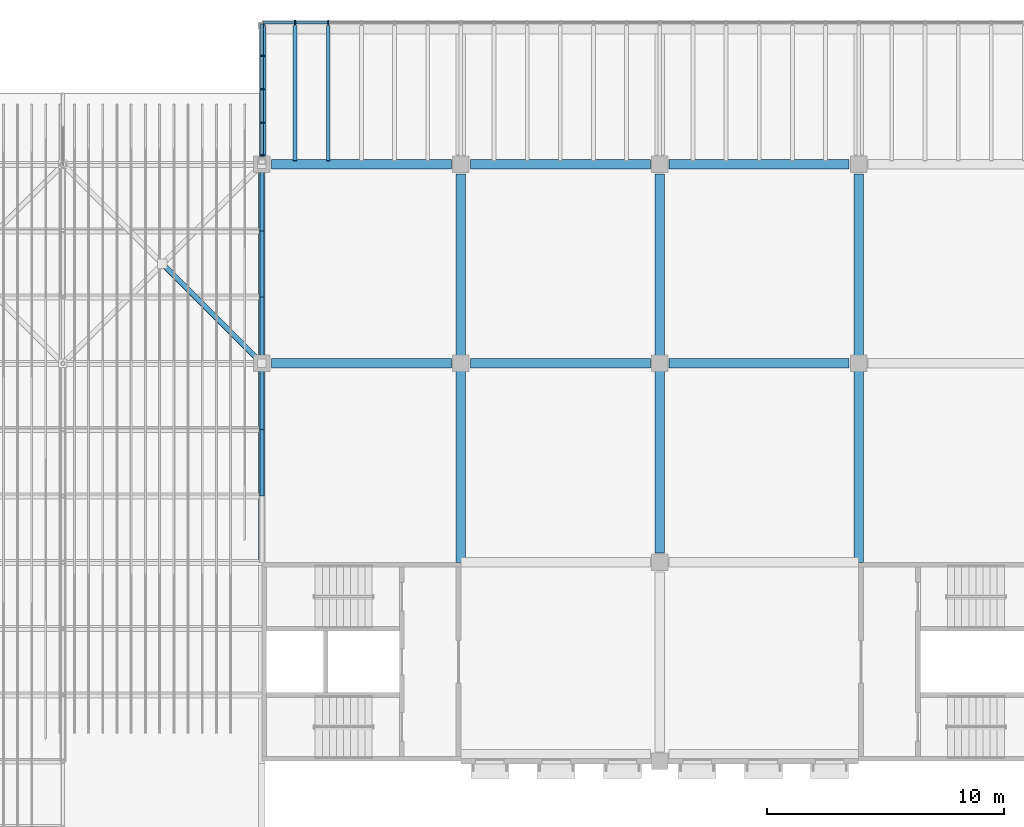
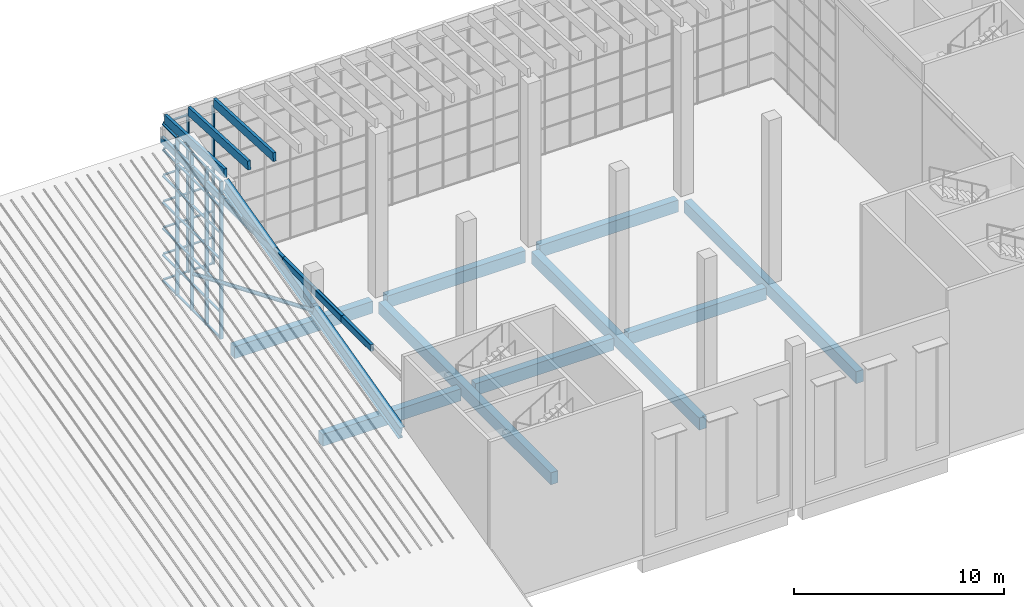
# One storey, part 15 of 114: 56 members, 11 beams, 2 elements without a shape of their own.
"""IFC4 building model written with IfcOpenShell, lengths in metres."""

from ifc_helpers import new_model, si_unit, direction, frame, origin, origin_2d, place, context, subcontext, project, spatial, rectangle, hollow_rectangle, hollow_circle, i_section, extrude, material, material_profile, profile_set, type_object, element, aggregate, save


model = new_model("IFC4")

# Units and contexts
model_context = context("Model", 3, precision=1e-05, world=origin(), true_north=direction((0.0, 1.0)))
body_context = subcontext(model_context, "Body", "Model", "MODEL_VIEW")
ifc_project = project(units=[si_unit("LENGTHUNIT", "METRE"), si_unit("AREAUNIT", "SQUARE_METRE"), si_unit("VOLUMEUNIT", "CUBIC_METRE"), si_unit("PLANEANGLEUNIT", "RADIAN"), si_unit("MASSUNIT", "GRAM", prefix="KILO")], contexts=[model_context])

# Site, building, storey
site_placement = place(None, origin())
site = spatial("IfcSite", under=ifc_project, at=site_placement, CompositionType="ELEMENT")
building_placement = place(site_placement, origin())
building = spatial("IfcBuilding", under=site, at=building_placement, Name="Almond Square Museum", CompositionType="ELEMENT")
storey_placement = place(building_placement, frame((0.0, 0.0, 10.5)))
storey = spatial("IfcBuildingStorey", under=building, at=storey_placement, Name="L02", CompositionType="ELEMENT", Elevation=10.5)

# Curtain wall, members
ifc_material_1 = material(Name="Aluminium and laminated glass", Category="aluminium")
curtain_wall_type = type_object("IfcCurtainWallType", Name="Unitised curtain wall 1500 module", PredefinedType="NOTDEFINED", material=ifc_material_1)
curtain_wall_1_placement = place(storey_placement, origin())
curtain_wall_1 = element("IfcCurtainWall", 1, at=curtain_wall_1_placement, inside=storey, type_object=curtain_wall_type, Name="Curtain wall CW-24", PredefinedType="NOTDEFINED")
ifc_material_2 = material(Name="Anodised aluminium", Category="aluminium")
ifc_material_profile_1 = material_profile(ifc_material_2, rectangle(XDim=0.199951171875, YDim=0.06005859375, at=origin_2d()))
ifc_profile_set_1 = profile_set([ifc_material_profile_1], Name="Anodised aluminium")
member_type_1 = type_object("IfcMemberType", Name="Aluminium mullion 60 x 200", PredefinedType="MULLION", material=ifc_profile_set_1)
member_1_placement = place(storey_placement, frame((41.0, 115.199951171875, 0.0), z_axis=(0.0, 0.0, 1.0), x_axis=(0.0, 1.0, 0.0)))
member_1 = element("IfcMember", 2, at=member_1_placement, type_object=member_type_1, Name="CW-24 mullion 2", PredefinedType="MULLION", context=body_context, shape_type="SweptSolid", body=[
    extrude(rectangle(XDim=0.199951171875, YDim=0.06005859375, at=origin_2d()), origin(), (0.0, 0.0, 1.0), 9.166259765625),
])
member_2_placement = place(storey_placement, frame((42.39990234375, 115.199951171875, 0.0), z_axis=(0.0, 0.0, 1.0), x_axis=(0.0, 1.0, 0.0)))
member_2 = element("IfcMember", 3, at=member_2_placement, type_object=member_type_1, Name="CW-24 mullion 3", PredefinedType="MULLION", context=body_context, shape_type="SweptSolid", body=[
    extrude(rectangle(XDim=0.199951171875, YDim=0.06005859375, at=origin_2d()), origin(), (0.0, 0.0, 1.0), 9.166259765625),
])

curtain_wall_2_placement = place(storey_placement, origin())
curtain_wall_2 = element("IfcCurtainWall", 4, at=curtain_wall_2_placement, inside=storey, type_object=curtain_wall_type, Name="Curtain wall CW-25", PredefinedType="NOTDEFINED")
member_3_placement = place(storey_placement, frame((39.60009765625, 109.580078125, 0.0), z_axis=(0.0, 0.0, 1.0), x_axis=(-1.0, 0.0, 0.0)))
member_3 = element("IfcMember", 5, at=member_3_placement, type_object=member_type_1, Name="CW-25 mullion 1", PredefinedType="MULLION", context=body_context, shape_type="SweptSolid", body=[
    extrude(rectangle(XDim=0.199951171875, YDim=0.06005859375, at=origin_2d()), origin(), (0.0, 0.0, 1.0), 9.166259765625),
])
member_4_placement = place(storey_placement, frame((39.60009765625, 110.96240234375, 0.0), z_axis=(0.0, 0.0, 1.0), x_axis=(-1.0, 0.0, 0.0)))
member_4 = element("IfcMember", 6, at=member_4_placement, type_object=member_type_1, Name="CW-25 mullion 2", PredefinedType="MULLION", context=body_context, shape_type="SweptSolid", body=[
    extrude(rectangle(XDim=0.199951171875, YDim=0.06005859375, at=origin_2d()), origin(), (0.0, 0.0, 1.0), 9.166259765625),
])
member_5_placement = place(storey_placement, frame((39.60009765625, 112.375, 0.0), z_axis=(0.0, 0.0, 1.0), x_axis=(-1.0, 0.0, 0.0)))
member_5 = element("IfcMember", 7, at=member_5_placement, type_object=member_type_1, Name="CW-25 mullion 3", PredefinedType="MULLION", context=body_context, shape_type="SweptSolid", body=[
    extrude(rectangle(XDim=0.199951171875, YDim=0.06005859375, at=origin_2d()), origin(), (0.0, 0.0, 1.0), 9.166259765625),
])
member_6_placement = place(storey_placement, frame((39.60009765625, 113.78759765625, 0.0), z_axis=(0.0, 0.0, 1.0), x_axis=(-1.0, 0.0, 0.0)))
member_6 = element("IfcMember", 8, at=member_6_placement, type_object=member_type_1, Name="CW-25 mullion 4", PredefinedType="MULLION", context=body_context, shape_type="SweptSolid", body=[
    extrude(rectangle(XDim=0.199951171875, YDim=0.06005859375, at=origin_2d()), origin(), (0.0, 0.0, 1.0), 9.166259765625),
])

# Member
ifc_material_3 = material(Name="Anodised aluminium", Category="aluminium")
ifc_material_profile_2 = material_profile(ifc_material_3, rectangle(XDim=0.1201171875, YDim=0.06005859375, at=origin_2d()))
ifc_profile_set_2 = profile_set([ifc_material_profile_2], Name="Anodised aluminium")
member_type_2 = type_object("IfcMemberType", Name="Aluminium transom 60 x 120", PredefinedType="USERDEFINED", material=ifc_profile_set_2)
member_7_placement = place(storey_placement, frame((39.659912109375, 115.199951171875, 0.030029296875), z_axis=(1.0, 0.0, 0.0), x_axis=(0.0, 1.0, 0.0)))
member_7 = element("IfcMember", 9, at=member_7_placement, type_object=member_type_2, Name="CW-24 transom 1.1", ObjectType="TRANSOM", PredefinedType="USERDEFINED", context=body_context, shape_type="SweptSolid", body=[
    extrude(rectangle(XDim=0.1201171875, YDim=0.06005859375, at=origin_2d()), origin(), (0.0, 0.0, 1.0), 1.31005859375),
])

member_8_placement = place(storey_placement, frame((39.659912109375, 115.199951171875, 1.527587890625), z_axis=(1.0, 0.0, 0.0), x_axis=(0.0, 1.0, 0.0)))
member_8 = element("IfcMember", 10, at=member_8_placement, type_object=member_type_2, Name="CW-24 transom 1.2", ObjectType="TRANSOM", PredefinedType="USERDEFINED", context=body_context, shape_type="SweptSolid", body=[
    extrude(rectangle(XDim=0.1201171875, YDim=0.06005859375, at=origin_2d()), origin(), (0.0, 0.0, 1.0), 1.31005859375),
])

member_9_placement = place(storey_placement, frame((39.659912109375, 115.199951171875, 3.055419921875), z_axis=(1.0, 0.0, 0.0), x_axis=(0.0, 1.0, 0.0)))
member_9 = element("IfcMember", 11, at=member_9_placement, type_object=member_type_2, Name="CW-24 transom 1.3", ObjectType="TRANSOM", PredefinedType="USERDEFINED", context=body_context, shape_type="SweptSolid", body=[
    extrude(rectangle(XDim=0.1201171875, YDim=0.06005859375, at=origin_2d()), origin(), (0.0, 0.0, 1.0), 1.31005859375),
])

member_10_placement = place(storey_placement, frame((39.659912109375, 115.199951171875, 4.5830078125), z_axis=(1.0, 0.0, 0.0), x_axis=(0.0, 1.0, 0.0)))
member_10 = element("IfcMember", 12, at=member_10_placement, type_object=member_type_2, Name="CW-24 transom 1.4", ObjectType="TRANSOM", PredefinedType="USERDEFINED", context=body_context, shape_type="SweptSolid", body=[
    extrude(rectangle(XDim=0.1201171875, YDim=0.06005859375, at=origin_2d()), origin(), (0.0, 0.0, 1.0), 1.31005859375),
])

member_11_placement = place(storey_placement, frame((39.659912109375, 115.199951171875, 6.11083984375), z_axis=(1.0, 0.0, 0.0), x_axis=(0.0, 1.0, 0.0)))
member_11 = element("IfcMember", 13, at=member_11_placement, type_object=member_type_2, Name="CW-24 transom 1.5", ObjectType="TRANSOM", PredefinedType="USERDEFINED", context=body_context, shape_type="SweptSolid", body=[
    extrude(rectangle(XDim=0.1201171875, YDim=0.06005859375, at=origin_2d()), origin(), (0.0, 0.0, 1.0), 1.31005859375),
])

member_12_placement = place(storey_placement, frame((39.659912109375, 115.199951171875, 7.638427734375), z_axis=(1.0, 0.0, 0.0), x_axis=(0.0, 1.0, 0.0)))
member_12 = element("IfcMember", 14, at=member_12_placement, type_object=member_type_2, Name="CW-24 transom 1.6", ObjectType="TRANSOM", PredefinedType="USERDEFINED", context=body_context, shape_type="SweptSolid", body=[
    extrude(rectangle(XDim=0.1201171875, YDim=0.06005859375, at=origin_2d()), origin(), (0.0, 0.0, 1.0), 1.31005859375),
])

member_13_placement = place(storey_placement, frame((39.659912109375, 115.199951171875, 9.13623046875), z_axis=(1.0, 0.0, 0.0), x_axis=(0.0, 1.0, 0.0)))
member_13 = element("IfcMember", 15, at=member_13_placement, type_object=member_type_2, Name="CW-24 transom 1.7", ObjectType="TRANSOM", PredefinedType="USERDEFINED", context=body_context, shape_type="SweptSolid", body=[
    extrude(rectangle(XDim=0.1201171875, YDim=0.06005859375, at=origin_2d()), origin(), (0.0, 0.0, 1.0), 1.31005859375),
])

member_14_placement = place(storey_placement, frame((41.030029296875, 115.199951171875, 0.030029296875), z_axis=(1.0, 0.0, 0.0), x_axis=(0.0, 1.0, 0.0)))
member_14 = element("IfcMember", 16, at=member_14_placement, type_object=member_type_2, Name="CW-24 transom 2.1", ObjectType="TRANSOM", PredefinedType="USERDEFINED", context=body_context, shape_type="SweptSolid", body=[
    extrude(rectangle(XDim=0.1201171875, YDim=0.06005859375, at=origin_2d()), origin(), (0.0, 0.0, 1.0), 1.340087890625),
])

member_15_placement = place(storey_placement, frame((41.030029296875, 115.199951171875, 1.527587890625), z_axis=(1.0, 0.0, 0.0), x_axis=(0.0, 1.0, 0.0)))
member_15 = element("IfcMember", 17, at=member_15_placement, type_object=member_type_2, Name="CW-24 transom 2.2", ObjectType="TRANSOM", PredefinedType="USERDEFINED", context=body_context, shape_type="SweptSolid", body=[
    extrude(rectangle(XDim=0.1201171875, YDim=0.06005859375, at=origin_2d()), origin(), (0.0, 0.0, 1.0), 1.340087890625),
])

member_16_placement = place(storey_placement, frame((41.030029296875, 115.199951171875, 3.055419921875), z_axis=(1.0, 0.0, 0.0), x_axis=(0.0, 1.0, 0.0)))
member_16 = element("IfcMember", 18, at=member_16_placement, type_object=member_type_2, Name="CW-24 transom 2.3", ObjectType="TRANSOM", PredefinedType="USERDEFINED", context=body_context, shape_type="SweptSolid", body=[
    extrude(rectangle(XDim=0.1201171875, YDim=0.06005859375, at=origin_2d()), origin(), (0.0, 0.0, 1.0), 1.340087890625),
])

member_17_placement = place(storey_placement, frame((41.030029296875, 115.199951171875, 4.5830078125), z_axis=(1.0, 0.0, 0.0), x_axis=(0.0, 1.0, 0.0)))
member_17 = element("IfcMember", 19, at=member_17_placement, type_object=member_type_2, Name="CW-24 transom 2.4", ObjectType="TRANSOM", PredefinedType="USERDEFINED", context=body_context, shape_type="SweptSolid", body=[
    extrude(rectangle(XDim=0.1201171875, YDim=0.06005859375, at=origin_2d()), origin(), (0.0, 0.0, 1.0), 1.340087890625),
])

aggregate(curtain_wall_1, [member_1, member_2, member_7, member_8, member_9, member_10, member_11, member_12, member_13, member_14, member_15, member_16, member_17])

member_18_placement = place(storey_placement, frame((39.60009765625, 109.610107421875, 0.030029296875), z_axis=(0.0, 1.0, 0.0), x_axis=(-1.0, 0.0, 0.0)))
member_18 = element("IfcMember", 20, at=member_18_placement, type_object=member_type_2, Name="CW-25 transom 1.1", ObjectType="TRANSOM", PredefinedType="USERDEFINED", context=body_context, shape_type="SweptSolid", body=[
    extrude(rectangle(XDim=0.1201171875, YDim=0.06005859375, at=origin_2d()), origin(), (0.0, 0.0, 1.0), 1.322509765625),
])

member_19_placement = place(storey_placement, frame((39.60009765625, 109.610107421875, 1.527587890625), z_axis=(0.0, 1.0, 0.0), x_axis=(-1.0, 0.0, 0.0)))
member_19 = element("IfcMember", 21, at=member_19_placement, type_object=member_type_2, Name="CW-25 transom 1.2", ObjectType="TRANSOM", PredefinedType="USERDEFINED", context=body_context, shape_type="SweptSolid", body=[
    extrude(rectangle(XDim=0.1201171875, YDim=0.06005859375, at=origin_2d()), origin(), (0.0, 0.0, 1.0), 1.322509765625),
])

member_20_placement = place(storey_placement, frame((39.60009765625, 109.610107421875, 3.055419921875), z_axis=(0.0, 1.0, 0.0), x_axis=(-1.0, 0.0, 0.0)))
member_20 = element("IfcMember", 22, at=member_20_placement, type_object=member_type_2, Name="CW-25 transom 1.3", ObjectType="TRANSOM", PredefinedType="USERDEFINED", context=body_context, shape_type="SweptSolid", body=[
    extrude(rectangle(XDim=0.1201171875, YDim=0.06005859375, at=origin_2d()), origin(), (0.0, 0.0, 1.0), 1.322509765625),
])

member_21_placement = place(storey_placement, frame((39.60009765625, 109.610107421875, 4.5830078125), z_axis=(0.0, 1.0, 0.0), x_axis=(-1.0, 0.0, 0.0)))
member_21 = element("IfcMember", 23, at=member_21_placement, type_object=member_type_2, Name="CW-25 transom 1.4", ObjectType="TRANSOM", PredefinedType="USERDEFINED", context=body_context, shape_type="SweptSolid", body=[
    extrude(rectangle(XDim=0.1201171875, YDim=0.06005859375, at=origin_2d()), origin(), (0.0, 0.0, 1.0), 1.322509765625),
])

member_22_placement = place(storey_placement, frame((39.60009765625, 109.610107421875, 6.11083984375), z_axis=(0.0, 1.0, 0.0), x_axis=(-1.0, 0.0, 0.0)))
member_22 = element("IfcMember", 24, at=member_22_placement, type_object=member_type_2, Name="CW-25 transom 1.5", ObjectType="TRANSOM", PredefinedType="USERDEFINED", context=body_context, shape_type="SweptSolid", body=[
    extrude(rectangle(XDim=0.1201171875, YDim=0.06005859375, at=origin_2d()), origin(), (0.0, 0.0, 1.0), 1.322509765625),
])

member_23_placement = place(storey_placement, frame((39.60009765625, 109.610107421875, 7.638427734375), z_axis=(0.0, 1.0, 0.0), x_axis=(-1.0, 0.0, 0.0)))
member_23 = element("IfcMember", 25, at=member_23_placement, type_object=member_type_2, Name="CW-25 transom 1.6", ObjectType="TRANSOM", PredefinedType="USERDEFINED", context=body_context, shape_type="SweptSolid", body=[
    extrude(rectangle(XDim=0.1201171875, YDim=0.06005859375, at=origin_2d()), origin(), (0.0, 0.0, 1.0), 1.322509765625),
])

member_24_placement = place(storey_placement, frame((39.60009765625, 109.610107421875, 9.13623046875), z_axis=(0.0, 1.0, 0.0), x_axis=(-1.0, 0.0, 0.0)))
member_24 = element("IfcMember", 26, at=member_24_placement, type_object=member_type_2, Name="CW-25 transom 1.7", ObjectType="TRANSOM", PredefinedType="USERDEFINED", context=body_context, shape_type="SweptSolid", body=[
    extrude(rectangle(XDim=0.1201171875, YDim=0.06005859375, at=origin_2d()), origin(), (0.0, 0.0, 1.0), 1.322509765625),
])

member_25_placement = place(storey_placement, frame((39.60009765625, 110.992431640625, 0.030029296875), z_axis=(0.0, 1.0, 0.0), x_axis=(-1.0, 0.0, 0.0)))
member_25 = element("IfcMember", 27, at=member_25_placement, type_object=member_type_2, Name="CW-25 transom 2.1", ObjectType="TRANSOM", PredefinedType="USERDEFINED", context=body_context, shape_type="SweptSolid", body=[
    extrude(rectangle(XDim=0.1201171875, YDim=0.06005859375, at=origin_2d()), origin(), (0.0, 0.0, 1.0), 1.3525390625),
])

member_26_placement = place(storey_placement, frame((39.60009765625, 110.992431640625, 1.527587890625), z_axis=(0.0, 1.0, 0.0), x_axis=(-1.0, 0.0, 0.0)))
member_26 = element("IfcMember", 28, at=member_26_placement, type_object=member_type_2, Name="CW-25 transom 2.2", ObjectType="TRANSOM", PredefinedType="USERDEFINED", context=body_context, shape_type="SweptSolid", body=[
    extrude(rectangle(XDim=0.1201171875, YDim=0.06005859375, at=origin_2d()), origin(), (0.0, 0.0, 1.0), 1.3525390625),
])

member_27_placement = place(storey_placement, frame((39.60009765625, 110.992431640625, 3.055419921875), z_axis=(0.0, 1.0, 0.0), x_axis=(-1.0, 0.0, 0.0)))
member_27 = element("IfcMember", 29, at=member_27_placement, type_object=member_type_2, Name="CW-25 transom 2.3", ObjectType="TRANSOM", PredefinedType="USERDEFINED", context=body_context, shape_type="SweptSolid", body=[
    extrude(rectangle(XDim=0.1201171875, YDim=0.06005859375, at=origin_2d()), origin(), (0.0, 0.0, 1.0), 1.3525390625),
])

member_28_placement = place(storey_placement, frame((39.60009765625, 110.992431640625, 4.5830078125), z_axis=(0.0, 1.0, 0.0), x_axis=(-1.0, 0.0, 0.0)))
member_28 = element("IfcMember", 30, at=member_28_placement, type_object=member_type_2, Name="CW-25 transom 2.4", ObjectType="TRANSOM", PredefinedType="USERDEFINED", context=body_context, shape_type="SweptSolid", body=[
    extrude(rectangle(XDim=0.1201171875, YDim=0.06005859375, at=origin_2d()), origin(), (0.0, 0.0, 1.0), 1.3525390625),
])

member_29_placement = place(storey_placement, frame((39.60009765625, 110.992431640625, 6.11083984375), z_axis=(0.0, 1.0, 0.0), x_axis=(-1.0, 0.0, 0.0)))
member_29 = element("IfcMember", 31, at=member_29_placement, type_object=member_type_2, Name="CW-25 transom 2.5", ObjectType="TRANSOM", PredefinedType="USERDEFINED", context=body_context, shape_type="SweptSolid", body=[
    extrude(rectangle(XDim=0.1201171875, YDim=0.06005859375, at=origin_2d()), origin(), (0.0, 0.0, 1.0), 1.3525390625),
])

member_30_placement = place(storey_placement, frame((39.60009765625, 110.992431640625, 7.638427734375), z_axis=(0.0, 1.0, 0.0), x_axis=(-1.0, 0.0, 0.0)))
member_30 = element("IfcMember", 32, at=member_30_placement, type_object=member_type_2, Name="CW-25 transom 2.6", ObjectType="TRANSOM", PredefinedType="USERDEFINED", context=body_context, shape_type="SweptSolid", body=[
    extrude(rectangle(XDim=0.1201171875, YDim=0.06005859375, at=origin_2d()), origin(), (0.0, 0.0, 1.0), 1.3525390625),
])

member_31_placement = place(storey_placement, frame((39.60009765625, 110.992431640625, 9.13623046875), z_axis=(0.0, 1.0, 0.0), x_axis=(-1.0, 0.0, 0.0)))
member_31 = element("IfcMember", 33, at=member_31_placement, type_object=member_type_2, Name="CW-25 transom 2.7", ObjectType="TRANSOM", PredefinedType="USERDEFINED", context=body_context, shape_type="SweptSolid", body=[
    extrude(rectangle(XDim=0.1201171875, YDim=0.06005859375, at=origin_2d()), origin(), (0.0, 0.0, 1.0), 1.3525390625),
])

member_32_placement = place(storey_placement, frame((39.60009765625, 112.405029296875, 0.030029296875), z_axis=(0.0, 1.0, 0.0), x_axis=(-1.0, 0.0, 0.0)))
member_32 = element("IfcMember", 34, at=member_32_placement, type_object=member_type_2, Name="CW-25 transom 3.1", ObjectType="TRANSOM", PredefinedType="USERDEFINED", context=body_context, shape_type="SweptSolid", body=[
    extrude(rectangle(XDim=0.1201171875, YDim=0.06005859375, at=origin_2d()), origin(), (0.0, 0.0, 1.0), 1.3525390625),
])

member_33_placement = place(storey_placement, frame((39.60009765625, 112.405029296875, 1.527587890625), z_axis=(0.0, 1.0, 0.0), x_axis=(-1.0, 0.0, 0.0)))
member_33 = element("IfcMember", 35, at=member_33_placement, type_object=member_type_2, Name="CW-25 transom 3.2", ObjectType="TRANSOM", PredefinedType="USERDEFINED", context=body_context, shape_type="SweptSolid", body=[
    extrude(rectangle(XDim=0.1201171875, YDim=0.06005859375, at=origin_2d()), origin(), (0.0, 0.0, 1.0), 1.3525390625),
])

member_34_placement = place(storey_placement, frame((39.60009765625, 112.405029296875, 3.055419921875), z_axis=(0.0, 1.0, 0.0), x_axis=(-1.0, 0.0, 0.0)))
member_34 = element("IfcMember", 36, at=member_34_placement, type_object=member_type_2, Name="CW-25 transom 3.3", ObjectType="TRANSOM", PredefinedType="USERDEFINED", context=body_context, shape_type="SweptSolid", body=[
    extrude(rectangle(XDim=0.1201171875, YDim=0.06005859375, at=origin_2d()), origin(), (0.0, 0.0, 1.0), 1.3525390625),
])

member_35_placement = place(storey_placement, frame((39.60009765625, 112.405029296875, 4.5830078125), z_axis=(0.0, 1.0, 0.0), x_axis=(-1.0, 0.0, 0.0)))
member_35 = element("IfcMember", 37, at=member_35_placement, type_object=member_type_2, Name="CW-25 transom 3.4", ObjectType="TRANSOM", PredefinedType="USERDEFINED", context=body_context, shape_type="SweptSolid", body=[
    extrude(rectangle(XDim=0.1201171875, YDim=0.06005859375, at=origin_2d()), origin(), (0.0, 0.0, 1.0), 1.3525390625),
])

member_36_placement = place(storey_placement, frame((39.60009765625, 112.405029296875, 6.11083984375), z_axis=(0.0, 1.0, 0.0), x_axis=(-1.0, 0.0, 0.0)))
member_36 = element("IfcMember", 38, at=member_36_placement, type_object=member_type_2, Name="CW-25 transom 3.5", ObjectType="TRANSOM", PredefinedType="USERDEFINED", context=body_context, shape_type="SweptSolid", body=[
    extrude(rectangle(XDim=0.1201171875, YDim=0.06005859375, at=origin_2d()), origin(), (0.0, 0.0, 1.0), 1.3525390625),
])

member_37_placement = place(storey_placement, frame((39.60009765625, 112.405029296875, 7.638427734375), z_axis=(0.0, 1.0, 0.0), x_axis=(-1.0, 0.0, 0.0)))
member_37 = element("IfcMember", 39, at=member_37_placement, type_object=member_type_2, Name="CW-25 transom 3.6", ObjectType="TRANSOM", PredefinedType="USERDEFINED", context=body_context, shape_type="SweptSolid", body=[
    extrude(rectangle(XDim=0.1201171875, YDim=0.06005859375, at=origin_2d()), origin(), (0.0, 0.0, 1.0), 1.3525390625),
])

member_38_placement = place(storey_placement, frame((39.60009765625, 112.405029296875, 9.13623046875), z_axis=(0.0, 1.0, 0.0), x_axis=(-1.0, 0.0, 0.0)))
member_38 = element("IfcMember", 40, at=member_38_placement, type_object=member_type_2, Name="CW-25 transom 3.7", ObjectType="TRANSOM", PredefinedType="USERDEFINED", context=body_context, shape_type="SweptSolid", body=[
    extrude(rectangle(XDim=0.1201171875, YDim=0.06005859375, at=origin_2d()), origin(), (0.0, 0.0, 1.0), 1.3525390625),
])

member_39_placement = place(storey_placement, frame((39.60009765625, 113.8173828125, 0.030029296875), z_axis=(0.0, 1.0, 0.0), x_axis=(-1.0, 0.0, 0.0)))
member_39 = element("IfcMember", 41, at=member_39_placement, type_object=member_type_2, Name="CW-25 transom 4.1", ObjectType="TRANSOM", PredefinedType="USERDEFINED", context=body_context, shape_type="SweptSolid", body=[
    extrude(rectangle(XDim=0.1201171875, YDim=0.06005859375, at=origin_2d()), origin(), (0.0, 0.0, 1.0), 1.322509765625),
])

member_40_placement = place(storey_placement, frame((39.60009765625, 113.8173828125, 1.527587890625), z_axis=(0.0, 1.0, 0.0), x_axis=(-1.0, 0.0, 0.0)))
member_40 = element("IfcMember", 42, at=member_40_placement, type_object=member_type_2, Name="CW-25 transom 4.2", ObjectType="TRANSOM", PredefinedType="USERDEFINED", context=body_context, shape_type="SweptSolid", body=[
    extrude(rectangle(XDim=0.1201171875, YDim=0.06005859375, at=origin_2d()), origin(), (0.0, 0.0, 1.0), 1.322509765625),
])

member_41_placement = place(storey_placement, frame((39.60009765625, 113.8173828125, 3.055419921875), z_axis=(0.0, 1.0, 0.0), x_axis=(-1.0, 0.0, 0.0)))
member_41 = element("IfcMember", 43, at=member_41_placement, type_object=member_type_2, Name="CW-25 transom 4.3", ObjectType="TRANSOM", PredefinedType="USERDEFINED", context=body_context, shape_type="SweptSolid", body=[
    extrude(rectangle(XDim=0.1201171875, YDim=0.06005859375, at=origin_2d()), origin(), (0.0, 0.0, 1.0), 1.322509765625),
])

member_42_placement = place(storey_placement, frame((39.60009765625, 113.8173828125, 4.5830078125), z_axis=(0.0, 1.0, 0.0), x_axis=(-1.0, 0.0, 0.0)))
member_42 = element("IfcMember", 44, at=member_42_placement, type_object=member_type_2, Name="CW-25 transom 4.4", ObjectType="TRANSOM", PredefinedType="USERDEFINED", context=body_context, shape_type="SweptSolid", body=[
    extrude(rectangle(XDim=0.1201171875, YDim=0.06005859375, at=origin_2d()), origin(), (0.0, 0.0, 1.0), 1.322509765625),
])

member_43_placement = place(storey_placement, frame((39.60009765625, 113.8173828125, 6.11083984375), z_axis=(0.0, 1.0, 0.0), x_axis=(-1.0, 0.0, 0.0)))
member_43 = element("IfcMember", 45, at=member_43_placement, type_object=member_type_2, Name="CW-25 transom 4.5", ObjectType="TRANSOM", PredefinedType="USERDEFINED", context=body_context, shape_type="SweptSolid", body=[
    extrude(rectangle(XDim=0.1201171875, YDim=0.06005859375, at=origin_2d()), origin(), (0.0, 0.0, 1.0), 1.322509765625),
])

member_44_placement = place(storey_placement, frame((39.60009765625, 113.8173828125, 7.638427734375), z_axis=(0.0, 1.0, 0.0), x_axis=(-1.0, 0.0, 0.0)))
member_44 = element("IfcMember", 46, at=member_44_placement, type_object=member_type_2, Name="CW-25 transom 4.6", ObjectType="TRANSOM", PredefinedType="USERDEFINED", context=body_context, shape_type="SweptSolid", body=[
    extrude(rectangle(XDim=0.1201171875, YDim=0.06005859375, at=origin_2d()), origin(), (0.0, 0.0, 1.0), 1.322509765625),
])

member_45_placement = place(storey_placement, frame((39.60009765625, 113.8173828125, 9.13623046875), z_axis=(0.0, 1.0, 0.0), x_axis=(-1.0, 0.0, 0.0)))
member_45 = element("IfcMember", 47, at=member_45_placement, type_object=member_type_2, Name="CW-25 transom 4.7", ObjectType="TRANSOM", PredefinedType="USERDEFINED", context=body_context, shape_type="SweptSolid", body=[
    extrude(rectangle(XDim=0.1201171875, YDim=0.06005859375, at=origin_2d()), origin(), (0.0, 0.0, 1.0), 1.322509765625),
])

aggregate(curtain_wall_2, [member_3, member_4, member_5, member_6, member_18, member_19, member_20, member_21, member_22, member_23, member_24, member_25, member_26, member_27, member_28, member_29, member_30, member_31, member_32, member_33, member_34, member_35, member_36, member_37, member_38, member_39, member_40, member_41, member_42, member_43, member_44, member_45])

# Members
ifc_material_4 = material(Name="Glulam GL28h", Category="wood")
ifc_material_profile_3 = material_profile(ifc_material_4, rectangle(XDim=0.159912109375, YDim=0.5, at=origin_2d()))
ifc_profile_set_3 = profile_set([ifc_material_profile_3], Name="Glulam GL28h")
member_type_3 = type_object("IfcMemberType", Name="Glulam rafter GL28h 160x500", PredefinedType="RAFTER", material=ifc_profile_set_3)
for number, where, z_axis, x_axis, name in (
    (48, (39.699951171875, 109.35009765625, 9.7421875), (0.0, 0.998750951657, -0.049965353644), (-1.0, 0.0, 0.0), "Box roof rafter 1"),
    (49, (41.0, 109.35009765625, 9.7421875), (0.0, 0.998750951657, -0.049965353644), (-1.0, 0.0, 0.0), "Box roof rafter 2"),
    (50, (42.39990234375, 109.35009765625, 9.7421875), (0.0, 0.998750951657, -0.049965353644), (-1.0, 0.0, 0.0), "Box roof rafter 3"),
):
    element("IfcMember", number, at=place(storey_placement, frame(where, z_axis=z_axis, x_axis=x_axis)), inside=storey, type_object=member_type_3, Name=name, PredefinedType="RAFTER", context=body_context, shape_type="SweptSolid", body=[
        extrude(rectangle(XDim=0.159912109375, YDim=0.5, at=origin_2d()), origin(), (0.0, 0.0, 1.0), 5.70703125),
    ])

# Beams
ifc_material_5 = material(Name="Concrete C40/50", Category="concrete")
ifc_material_profile_4 = material_profile(ifc_material_5, rectangle(XDim=0.39990234375, YDim=0.699951171875, at=origin_2d()))
ifc_profile_set_4 = profile_set([ifc_material_profile_4], Name="Concrete C40/50")
beam_type_1 = type_object("IfcBeamType", Name="RC beam 400 x 700 C40/50", PredefinedType="BEAM", material=ifc_profile_set_4)
for number, where, z_axis, x_axis, name in (
    (51, (40.0, 100.800048828125, -0.60009765625), (1.0, 0.0, 0.0), (0.0, 1.0, 0.0), "Beam M 6-7 L02"),
    (52, (48.39990234375, 100.800048828125, -0.60009765625), (1.0, 0.0, 0.0), (0.0, 1.0, 0.0), "Beam M 7-8 L02"),
):
    element("IfcBeam", number, at=place(storey_placement, frame(where, z_axis=z_axis, x_axis=x_axis)), inside=storey, type_object=beam_type_1, Name=name, PredefinedType="BEAM", context=body_context, shape_type="SweptSolid", body=[
        extrude(rectangle(XDim=0.39990234375, YDim=0.699951171875, at=origin_2d()), origin(), (0.0, 0.0, 1.0), 7.60009765625),
    ])
beam_1_placement = place(storey_placement, frame((56.800048828125, 100.800048828125, -0.60009765625), z_axis=(1.0, 0.0, 0.0), x_axis=(0.0, 1.0, 0.0)))
element("IfcBeam", 53, at=beam_1_placement, inside=storey, type_object=beam_type_1, Name="Beam M 8-9 L02", PredefinedType="BEAM", context=body_context, shape_type="SweptSolid", body=[
    extrude(rectangle(XDim=0.39990234375, YDim=0.699951171875, at=origin_2d()), origin(), (0.0, 0.0, 1.0), 7.599853515625),
])
for number, where, z_axis, x_axis, name in (
    (54, (40.0, 109.199951171875, -0.60009765625), (1.0, 0.0, 0.0), (0.0, 1.0, 0.0), "Beam N 6-7 L02"),
    (55, (48.39990234375, 109.199951171875, -0.60009765625), (1.0, 0.0, 0.0), (0.0, 1.0, 0.0), "Beam N 7-8 L02"),
):
    element("IfcBeam", number, at=place(storey_placement, frame(where, z_axis=z_axis, x_axis=x_axis)), inside=storey, type_object=beam_type_1, Name=name, PredefinedType="BEAM", context=body_context, shape_type="SweptSolid", body=[
        extrude(rectangle(XDim=0.39990234375, YDim=0.699951171875, at=origin_2d()), origin(), (0.0, 0.0, 1.0), 7.60009765625),
    ])
beam_2_placement = place(storey_placement, frame((56.800048828125, 109.199951171875, -0.60009765625), z_axis=(1.0, 0.0, 0.0), x_axis=(0.0, 1.0, 0.0)))
element("IfcBeam", 56, at=beam_2_placement, inside=storey, type_object=beam_type_1, Name="Beam N 8-9 L02", PredefinedType="BEAM", context=body_context, shape_type="SweptSolid", body=[
    extrude(rectangle(XDim=0.39990234375, YDim=0.699951171875, at=origin_2d()), origin(), (0.0, 0.0, 1.0), 7.599853515625),
])
beam_3_placement = place(storey_placement, frame((48.0, 92.39990234375, -0.60009765625), z_axis=(0.0, 1.0, 0.0), x_axis=(-1.0, 0.0, 0.0)))
element("IfcBeam", 57, at=beam_3_placement, inside=storey, type_object=beam_type_1, Name="Beam 7 L-N L02", PredefinedType="BEAM", context=body_context, shape_type="SweptSolid", body=[
    extrude(rectangle(XDim=0.39990234375, YDim=0.699951171875, at=origin_2d()), origin(), (0.0, 0.0, 1.0), 16.400146484375),
])
beam_4_placement = place(storey_placement, frame((56.39990234375, 92.800048828125, -0.60009765625), z_axis=(0.0, 1.0, 0.0), x_axis=(-1.0, 0.0, 0.0)))
element("IfcBeam", 58, at=beam_4_placement, inside=storey, type_object=beam_type_1, Name="Beam 8 L-N L02", PredefinedType="BEAM", context=body_context, shape_type="SweptSolid", body=[
    extrude(rectangle(XDim=0.39990234375, YDim=0.699951171875, at=origin_2d()), origin(), (0.0, 0.0, 1.0), 16.0),
])
beam_5_placement = place(storey_placement, frame((64.800048828125, 92.39990234375, -0.60009765625), z_axis=(0.0, 1.0, 0.0), x_axis=(-1.0, 0.0, 0.0)))
element("IfcBeam", 59, at=beam_5_placement, inside=storey, type_object=beam_type_1, Name="Beam 9 L-N L02", PredefinedType="BEAM", context=body_context, shape_type="SweptSolid", body=[
    extrude(rectangle(XDim=0.39990234375, YDim=0.699951171875, at=origin_2d()), origin(), (0.0, 0.0, 1.0), 16.400146484375),
])
ifc_material_6 = material(Name="Structural steel S355", Category="steel")
ifc_material_profile_5 = material_profile(ifc_material_6, i_section(OverallWidth=0.26708984375, OverallDepth=0.75390625, WebThickness=0.01318359375, FlangeThickness=0.01708984375, at=origin_2d()))
ifc_profile_set_5 = profile_set([ifc_material_profile_5], Name="Structural steel S355")
beam_type_2 = type_object("IfcBeamType", Name="Roof beam W760x147", PredefinedType="BEAM", material=ifc_profile_set_5)
beam_6_placement = place(storey_placement, frame((39.60009765625, 92.39990234375, 4.9580078125), z_axis=(0.0, 0.969460822902, 0.245246229039), x_axis=(-1.0, 0.0, 0.0)))
element("IfcBeam", 60, at=beam_6_placement, inside=storey, type_object=beam_type_2, Name="Auditorium edge beam 2.3", PredefinedType="BEAM", context=body_context, shape_type="SweptSolid", body=[
    extrude(i_section(OverallWidth=0.26708984375, OverallDepth=0.75390625, WebThickness=0.01318359375, FlangeThickness=0.01708984375, at=origin_2d()), origin(), (0.0, 0.0, 1.0), 8.664794921875),
])
beam_7_placement = place(storey_placement, frame((39.60009765625, 100.800048828125, 7.0830078125), z_axis=(0.0, 0.969459128151, 0.24525292831), x_axis=(-1.0, 0.0, 0.0)))
element("IfcBeam", 61, at=beam_7_placement, inside=storey, type_object=beam_type_2, Name="Auditorium edge beam 2.4", PredefinedType="BEAM", context=body_context, shape_type="SweptSolid", body=[
    extrude(i_section(OverallWidth=0.26708984375, OverallDepth=0.75390625, WebThickness=0.01318359375, FlangeThickness=0.01708984375, at=origin_2d()), origin(), (0.0, 0.0, 1.0), 8.66455078125),
])

# Members
ifc_material_7 = material(Name="Structural steel S355", Category="steel")
ifc_material_profile_6 = material_profile(ifc_material_7, hollow_circle(Radius=0.109619140625, WallThickness=0.010009765625, at=origin_2d()))
ifc_profile_set_6 = profile_set([ifc_material_profile_6], Name="Structural steel S355")
member_type_4 = type_object("IfcMemberType", Name="Roof brace CHS 219.1x10", PredefinedType="BRACE", material=ifc_profile_set_6)
member_46_placement = place(storey_placement, frame((39.60009765625, 100.800048828125, 6.9794921875), z_axis=(-0.696078677987, 0.696038217706, 0.176083143839), x_axis=(-0.70708622964, -0.707127332136, 0.0)))
element("IfcMember", 62, at=member_46_placement, inside=storey, type_object=member_type_4, Name="Auditorium roof plan brace", PredefinedType="BRACE", context=body_context, shape_type="SweptSolid", body=[
    extrude(hollow_circle(Radius=0.109619140625, WallThickness=0.010009765625, at=origin_2d()), origin(), (0.0, 0.0, 1.0), 6.0341796875),
])
ifc_material_8 = material(Name="Structural steel S355", Category="steel")
ifc_material_profile_7 = material_profile(ifc_material_8, hollow_rectangle(XDim=0.199951171875, YDim=0.39990234375, WallThickness=0.012451171875, InnerFilletRadius=0.02490234375, OuterFilletRadius=0.03759765625, at=origin_2d()))
ifc_profile_set_7 = profile_set([ifc_material_profile_7], Name="Structural steel S355")
member_type_5 = type_object("IfcMemberType", Name="Truss chord RHS 400x200x12.5", PredefinedType="CHORD", material=ifc_profile_set_7)
for number, where, z_axis, x_axis, name in (
    (63, (39.60009765625, 95.199951171875, 8.199951171875), (0.0, 1.0, 0.0), (-1.0, 0.0, 0.0), "TR-16 top chord 2"),
    (64, (39.60009765625, 98.0, 8.199951171875), (0.0, 1.0, 0.0), (-1.0, 0.0, 0.0), "TR-16 top chord 3"),
    (65, (39.60009765625, 100.800048828125, 8.199951171875), (0.0, 1.0, 0.0), (-1.0, 0.0, 0.0), "TR-16 top chord 4"),
):
    element("IfcMember", number, at=place(storey_placement, frame(where, z_axis=z_axis, x_axis=x_axis)), inside=storey, type_object=member_type_5, Name=name, PredefinedType="CHORD", context=body_context, shape_type="SweptSolid", body=[
        extrude(hollow_rectangle(XDim=0.199951171875, YDim=0.39990234375, WallThickness=0.012451171875, InnerFilletRadius=0.02490234375, OuterFilletRadius=0.03759765625, at=origin_2d()), origin(), (0.0, 0.0, 1.0), 2.800048828125),
    ])
member_47_placement = place(storey_placement, frame((39.60009765625, 103.60009765625, 8.199951171875), z_axis=(0.0, 1.0, 0.0), x_axis=(-1.0, 0.0, 0.0)))
element("IfcMember", 66, at=member_47_placement, inside=storey, type_object=member_type_5, Name="TR-16 top chord 5", PredefinedType="CHORD", context=body_context, shape_type="SweptSolid", body=[
    extrude(hollow_rectangle(XDim=0.199951171875, YDim=0.39990234375, WallThickness=0.012451171875, InnerFilletRadius=0.02490234375, OuterFilletRadius=0.03759765625, at=origin_2d()), origin(), (0.0, 0.0, 1.0), 2.7998046875),
])
member_48_placement = place(storey_placement, frame((39.60009765625, 106.39990234375, 8.199951171875), z_axis=(0.0, 1.0, 0.0), x_axis=(-1.0, 0.0, 0.0)))
element("IfcMember", 67, at=member_48_placement, inside=storey, type_object=member_type_5, Name="TR-16 top chord 6", PredefinedType="CHORD", context=body_context, shape_type="SweptSolid", body=[
    extrude(hollow_rectangle(XDim=0.199951171875, YDim=0.39990234375, WallThickness=0.012451171875, InnerFilletRadius=0.02490234375, OuterFilletRadius=0.03759765625, at=origin_2d()), origin(), (0.0, 0.0, 1.0), 2.800048828125),
])
for number, where, z_axis, x_axis, name in (
    (68, (39.60009765625, 109.199951171875, 8.199951171875), (0.0, 1.0, 0.0), (-1.0, 0.0, 0.0), "TR-16 top chord 7"),
    (69, (39.60009765625, 112.199951171875, 8.199951171875), (0.0, 1.0, 0.0), (-1.0, 0.0, 0.0), "TR-16 top chord 8"),
):
    element("IfcMember", number, at=place(storey_placement, frame(where, z_axis=z_axis, x_axis=x_axis)), inside=storey, type_object=member_type_5, Name=name, PredefinedType="CHORD", context=body_context, shape_type="SweptSolid", body=[
        extrude(hollow_rectangle(XDim=0.199951171875, YDim=0.39990234375, WallThickness=0.012451171875, InnerFilletRadius=0.02490234375, OuterFilletRadius=0.03759765625, at=origin_2d()), origin(), (0.0, 0.0, 1.0), 3.0),
    ])

save(model, "model.ifc")
